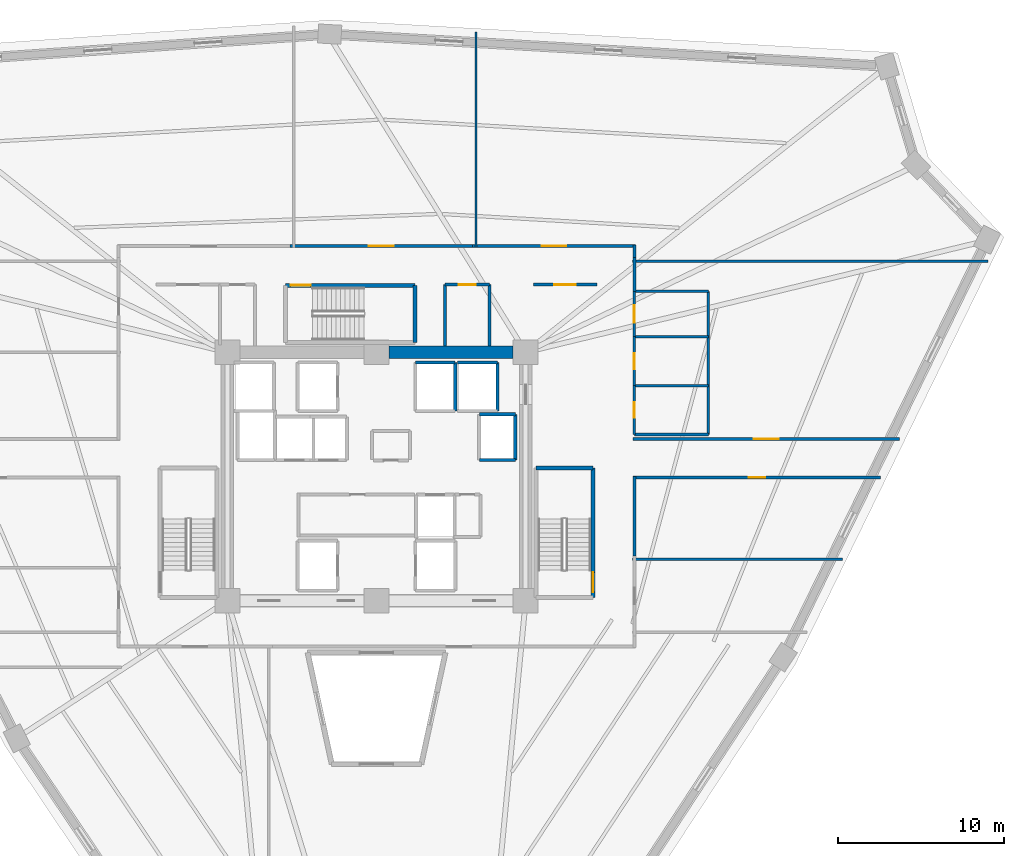
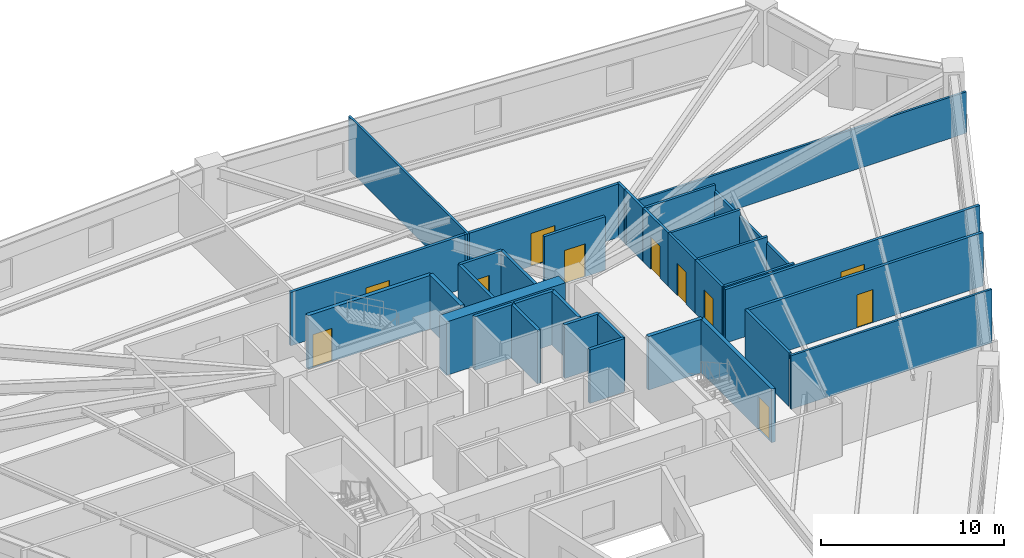
# One storey, part 6 of 8: 34 walls, 11 doors, 11 openings.
"""IFC4 building model written with IfcOpenShell, lengths in metres."""

from ifc_helpers import new_model, si_unit, direction, frame, frame_2d, origin, place, context, subcontext, project, spatial, rectangle, extrude, source, transform, mapped, material, layer, layer_set, type_object, element, fill, save


model = new_model("IFC4")

# Units and contexts
model_context = context("Model", 3, precision=1e-05, world=origin(), true_north=direction((0.0, 1.0)))
body_context = subcontext(model_context, "Body", "Model", "MODEL_VIEW")
ifc_project = project(units=[si_unit("LENGTHUNIT", "METRE"), si_unit("AREAUNIT", "SQUARE_METRE"), si_unit("VOLUMEUNIT", "CUBIC_METRE"), si_unit("PLANEANGLEUNIT", "RADIAN"), si_unit("MASSUNIT", "GRAM", prefix="KILO")], contexts=[model_context])

# Site, building, storey
site_placement = place(None, origin())
site = spatial("IfcSite", under=ifc_project, at=site_placement, CompositionType="ELEMENT")
building_placement = place(site_placement, origin())
building = spatial("IfcBuilding", under=site, at=building_placement, Name="Liaohun Quay Tower", CompositionType="ELEMENT")
storey_placement = place(building_placement, frame((0.0, 0.0, 109.5)))
storey = spatial("IfcBuildingStorey", under=building, at=storey_placement, Name="L28", CompositionType="ELEMENT", Elevation=109.5)

# Wall
ifc_material_1 = material(Name="Concrete C60", Category="concrete")
ifc_layer_1 = layer(ifc_material_1, 0.75, Name="Concrete C60", Category="concrete")
ifc_layer_set_1 = layer_set([ifc_layer_1], Name="Concrete C60")
wall_type_1 = type_object("IfcWallType", Name="WAL-COR-Z2", PredefinedType="SHEAR", material=ifc_layer_set_1)
wall_1_placement = place(storey_placement, frame((60.75, 61.5, 0.0), z_axis=(0.0, 0.0, 1.0), x_axis=(1.0, 0.0, 0.0)))
element("IfcWall", 1, at=wall_1_placement, inside=storey, type_object=wall_type_1, Name="L28 Central Core Shear Wall N-E", PredefinedType="SHEAR", context=body_context, shape_type="SweptSolid", body=[
    extrude(rectangle(XDim=7.5, YDim=0.75, at=frame_2d((3.75, 0.0))), origin(), (0.0, 0.0, 1.0), 3.570068359375),
])

# Wall, opening, door
ifc_material_2 = material(Name="Autoclaved aerated concrete blockwork", Category="masonry")
ifc_layer_2 = layer(ifc_material_2, 0.179931640625, Name="Autoclaved aerated concrete blockwork", Category="masonry")
ifc_layer_set_2 = layer_set([ifc_layer_2], Name="Autoclaved aerated concrete blockwork")
wall_type_2 = type_object("IfcWallType", Name="WAL-PRT-COR", PredefinedType="PARTITIONING", material=ifc_layer_set_2)
wall_2_placement = place(storey_placement, frame((64.139892578125, 65.580078125, 0.0), z_axis=(0.0, 0.0, 1.0), x_axis=(1.0, 0.0, 0.0)))
wall_2 = element("IfcWall", 2, at=wall_2_placement, inside=storey, type_object=wall_type_2, Name="L28 Interior Partition Wall 008", PredefinedType="PARTITIONING", context=body_context, shape_type="SweptSolid", body=[
    extrude(rectangle(XDim=2.670166015625, YDim=0.179931640625, at=frame_2d((1.3349609375, 0.0))), origin(), (0.0, 0.0, 1.0), 3.570068359375),
])
shared_shape_1 = source(origin(), body_context, "Body", "SweptSolid", [
    extrude(rectangle(XDim=1.0, YDim=2.199951171875, at=frame_2d((0.5, 1.10009765625))), frame((0.0, 0.099853515625, 0.0), z_axis=(0.0, -1.0, 0.0), x_axis=(1.0, 0.0, 0.0)), (0.0, 0.0, 1.0), 0.199951171875),
])
opening_1_placement = place(wall_2_placement, frame((0.8349609375, 0.0, 0.0)))
opening_1 = element("IfcOpeningElement", 3, at=opening_1_placement, cuts=wall_2, Name="Opening OD1", PredefinedType="OPENING", context=body_context, shape_type="MappedRepresentation", body=[
    mapped(shared_shape_1, transform((0.0, 0.0, 0.0), x_axis=(1.0, 0.0, 0.0), y_axis=(0.0, 1.0, 0.0), z_axis=(0.0, 0.0, 1.0), scale=1.0)),
])
ifc_material_3 = material(Name="Solid-core oak veneer timber leaf in steel frame", Category="steel")
door_type_1 = type_object("IfcDoorType", Name="DOR-OFF-1000", OperationType="NOTDEFINED", PredefinedType="DOOR", material=ifc_material_3)
shared_shape_2 = source(origin(), body_context, "Body", "SweptSolid", [
    extrude(rectangle(XDim=1.0, YDim=2.199951171875, at=frame_2d((0.5, 1.10009765625))), frame((0.0, 0.02490234375, 0.0), z_axis=(0.0, -1.0, 0.0), x_axis=(1.0, 0.0, 0.0)), (0.0, 0.0, 1.0), 0.050048828125),
])
door_1_placement = place(opening_1_placement, origin())
door_1 = element("IfcDoor", 4, at=door_1_placement, inside=storey, type_object=door_type_1, Name="L28 North-East Server Closet Door", OperationType="SINGLE_SWING_LEFT", OverallHeight=2.199951171875, OverallWidth=1.0, PredefinedType="DOOR", context=body_context, shape_type="MappedRepresentation", body=[
    mapped(shared_shape_2, transform((0.0, 0.0, 0.0), x_axis=(1.0, 0.0, 0.0), y_axis=(0.0, 1.0, 0.0), z_axis=(0.0, 0.0, 1.0), scale=1.0)),
])
fill(opening_1, door_1)

wall_3_placement = place(storey_placement, frame((69.4599609375, 65.580078125, 0.0), z_axis=(0.0, 0.0, 1.0), x_axis=(1.0, 0.0, 0.0)))
wall_3 = element("IfcWall", 5, at=wall_3_placement, inside=storey, type_object=wall_type_2, Name="L28 Interior Partition Wall 010", PredefinedType="PARTITIONING", context=body_context, shape_type="SweptSolid", body=[
    extrude(rectangle(XDim=3.840087890625, YDim=0.179931640625, at=frame_2d((1.919921875, 0.0))), origin(), (0.0, 0.0, 1.0), 3.570068359375),
])
shared_shape_3 = source(origin(), body_context, "Body", "SweptSolid", [
    extrude(rectangle(XDim=1.300048828125, YDim=2.199951171875, at=frame_2d((0.64990234375, 1.10009765625))), frame((0.0, 0.099853515625, 0.0), z_axis=(0.0, -1.0, 0.0), x_axis=(1.0, 0.0, 0.0)), (0.0, 0.0, 1.0), 0.199951171875),
])
opening_2_placement = place(wall_3_placement, frame((1.27001953125, 0.0, 0.0)))
opening_2 = element("IfcOpeningElement", 6, at=opening_2_placement, cuts=wall_3, Name="Opening FD1", PredefinedType="OPENING", context=body_context, shape_type="MappedRepresentation", body=[
    mapped(shared_shape_3, transform((0.0, 0.0, 0.0), x_axis=(1.0, 0.0, 0.0), y_axis=(0.0, 1.0, 0.0), z_axis=(0.0, 0.0, 1.0), scale=1.0)),
])
ifc_material_4 = material(Name="Galvanised steel smokeproof fire door", Category="steel")
door_type_2 = type_object("IfcDoorType", Name="DOR-FFL-1300", OperationType="NOTDEFINED", PredefinedType="DOOR", material=ifc_material_4)
shared_shape_4 = source(origin(), body_context, "Body", "SweptSolid", [
    extrude(rectangle(XDim=1.300048828125, YDim=2.199951171875, at=frame_2d((0.64990234375, 1.10009765625))), frame((0.0, 0.02490234375, 0.0), z_axis=(0.0, -1.0, 0.0), x_axis=(1.0, 0.0, 0.0)), (0.0, 0.0, 1.0), 0.050048828125),
])
door_2_placement = place(opening_2_placement, origin())
door_2 = element("IfcDoor", 7, at=door_2_placement, inside=storey, type_object=door_type_2, Name="L28 East Core Vestibule Door", OperationType="SINGLE_SWING_LEFT", OverallHeight=2.199951171875, OverallWidth=1.300048828125, PredefinedType="DOOR", context=body_context, shape_type="MappedRepresentation", body=[
    mapped(shared_shape_4, transform((0.0, 0.0, 0.0), x_axis=(1.0, 0.0, 0.0), y_axis=(0.0, 1.0, 0.0), z_axis=(0.0, 0.0, 1.0), scale=1.0)),
])
fill(opening_2, door_2)

wall_4_placement = place(storey_placement, frame((75.489990234375, 56.260009765625, 0.0), z_axis=(0.0, 0.0, 1.0), x_axis=(1.0, 0.0, 0.0)))
wall_4 = element("IfcWall", 8, at=wall_4_placement, inside=storey, type_object=wall_type_2, Name="L28 Interior Partition Wall 011", PredefinedType="PARTITIONING", context=body_context, shape_type="SweptSolid", body=[
    extrude(rectangle(XDim=16.06689453125, YDim=0.179931640625, at=frame_2d((8.033447265625, 0.0))), origin(), (0.0, 0.0, 1.0), 3.570068359375),
])
shared_shape_5 = source(origin(), body_context, "Body", "SweptSolid", [
    extrude(rectangle(XDim=1.5, YDim=2.199951171875, at=frame_2d((0.75, 1.10009765625))), frame((0.0, 0.099853515625, 0.0), z_axis=(0.0, -1.0, 0.0), x_axis=(1.0, 0.0, 0.0)), (0.0, 0.0, 1.0), 0.199951171875),
])
opening_3_placement = place(wall_4_placement, frame((7.283935546875, 0.0, 0.0)))
opening_3 = element("IfcOpeningElement", 9, at=opening_3_placement, cuts=wall_4, Name="Opening OD2", PredefinedType="OPENING", context=body_context, shape_type="MappedRepresentation", body=[
    mapped(shared_shape_5, transform((0.0, 0.0, 0.0), x_axis=(1.0, 0.0, 0.0), y_axis=(0.0, 1.0, 0.0), z_axis=(0.0, 0.0, 1.0), scale=1.0)),
])
ifc_material_5 = material(Name="Acoustic oak veneer double door")
door_type_3 = type_object("IfcDoorType", Name="DOR-OFF-1500", OperationType="DOUBLE_DOOR_SINGLE_SWING", PredefinedType="DOOR", material=ifc_material_5)
shared_shape_6 = source(origin(), body_context, "Body", "SweptSolid", [
    extrude(rectangle(XDim=1.5, YDim=2.199951171875, at=frame_2d((0.75, 1.10009765625))), frame((0.0, 0.02490234375, 0.0), z_axis=(0.0, -1.0, 0.0), x_axis=(1.0, 0.0, 0.0)), (0.0, 0.0, 1.0), 0.050048828125),
])
door_3_placement = place(opening_3_placement, origin())
door_3 = element("IfcDoor", 10, at=door_3_placement, inside=storey, type_object=door_type_3, Name="L28 Architectural Design Studio 01 Door", OperationType="DOUBLE_DOOR_SINGLE_SWING", OverallHeight=2.199951171875, OverallWidth=1.5, PredefinedType="DOOR", context=body_context, shape_type="MappedRepresentation", body=[
    mapped(shared_shape_6, transform((0.0, 0.0, 0.0), x_axis=(1.0, 0.0, 0.0), y_axis=(0.0, 1.0, 0.0), z_axis=(0.0, 0.0, 1.0), scale=1.0)),
])
fill(opening_3, door_3)

wall_5_placement = place(storey_placement, frame((65.784912109375, 67.909912109375, 0.0), z_axis=(0.0, 0.0, 1.0), x_axis=(1.0, 0.0, 0.0)))
wall_5 = element("IfcWall", 11, at=wall_5_placement, inside=storey, type_object=wall_type_2, Name="L28 Interior Partition Wall 012", PredefinedType="PARTITIONING", context=body_context, shape_type="SweptSolid", body=[
    extrude(rectangle(XDim=9.844970703125, YDim=0.179931640625, at=frame_2d((4.92236328125, 0.0))), origin(), (0.0, 0.0, 1.0), 3.570068359375),
])
opening_4_placement = place(wall_5_placement, frame((4.172119140625, 0.0, 0.0)))
opening_4 = element("IfcOpeningElement", 12, at=opening_4_placement, cuts=wall_5, Name="Opening OD2", PredefinedType="OPENING", context=body_context, shape_type="MappedRepresentation", body=[
    mapped(shared_shape_5, transform((0.0, 0.0, 0.0), x_axis=(1.0, 0.0, 0.0), y_axis=(0.0, 1.0, 0.0), z_axis=(0.0, 0.0, 1.0), scale=1.0)),
])
door_4_placement = place(opening_4_placement, origin())
door_4 = element("IfcDoor", 13, at=door_4_placement, inside=storey, type_object=door_type_3, Name="L28 Corporate Exhibition Gallery 02 Door", OperationType="DOUBLE_DOOR_SINGLE_SWING", OverallHeight=2.199951171875, OverallWidth=1.5, PredefinedType="DOOR", context=body_context, shape_type="MappedRepresentation", body=[
    mapped(shared_shape_6, transform((0.0, 0.0, 0.0), x_axis=(1.0, 0.0, 0.0), y_axis=(0.0, 1.0, 0.0), z_axis=(0.0, 0.0, 1.0), scale=1.0)),
])
fill(opening_4, door_4)

wall_6_placement = place(storey_placement, frame((54.784912109375, 67.909912109375, 0.0), z_axis=(0.0, 0.0, 1.0), x_axis=(1.0, 0.0, 0.0)))
wall_6 = element("IfcWall", 14, at=wall_6_placement, inside=storey, type_object=wall_type_2, Name="L28 Interior Partition Wall 013", PredefinedType="PARTITIONING", context=body_context, shape_type="SweptSolid", body=[
    extrude(rectangle(XDim=11.0, YDim=0.179931640625, at=frame_2d((5.5, 0.0))), origin(), (0.0, 0.0, 1.0), 3.570068359375),
])
opening_5_placement = place(wall_6_placement, frame((4.75, 0.0, 0.0)))
opening_5 = element("IfcOpeningElement", 15, at=opening_5_placement, cuts=wall_6, Name="Opening OD2", PredefinedType="OPENING", context=body_context, shape_type="MappedRepresentation", body=[
    mapped(shared_shape_5, transform((0.0, 0.0, 0.0), x_axis=(1.0, 0.0, 0.0), y_axis=(0.0, 1.0, 0.0), z_axis=(0.0, 0.0, 1.0), scale=1.0)),
])
door_5_placement = place(opening_5_placement, origin())
door_5 = element("IfcDoor", 16, at=door_5_placement, inside=storey, type_object=door_type_3, Name="L28 Architectural Design Studio 03 Door", OperationType="DOUBLE_DOOR_SINGLE_SWING", OverallHeight=2.199951171875, OverallWidth=1.5, PredefinedType="DOOR", context=body_context, shape_type="MappedRepresentation", body=[
    mapped(shared_shape_6, transform((0.0, 0.0, 0.0), x_axis=(1.0, 0.0, 0.0), y_axis=(0.0, 1.0, 0.0), z_axis=(0.0, 0.0, 1.0), scale=1.0)),
])
fill(opening_5, door_5)

wall_7_placement = place(storey_placement, frame((90.424072265625, 53.93994140625, 0.0), z_axis=(0.0, 0.0, 1.0), x_axis=(-1.0, 0.0, 0.0)))
wall_7 = element("IfcWall", 17, at=wall_7_placement, inside=storey, type_object=wall_type_2, Name="L28 Interior Partition Wall 022", PredefinedType="PARTITIONING", context=body_context, shape_type="SweptSolid", body=[
    extrude(rectangle(XDim=14.93408203125, YDim=0.179931640625, at=frame_2d((7.467041015625, 0.0))), origin(), (0.0, 0.0, 1.0), 3.570068359375),
])
opening_6_placement = place(wall_7_placement, frame((6.967041015625, 0.0, 0.0)))
opening_6 = element("IfcOpeningElement", 18, at=opening_6_placement, cuts=wall_7, Name="Opening OD1", PredefinedType="OPENING", context=body_context, shape_type="MappedRepresentation", body=[
    mapped(shared_shape_1, transform((0.0, 0.0, 0.0), x_axis=(1.0, 0.0, 0.0), y_axis=(0.0, 1.0, 0.0), z_axis=(0.0, 0.0, 1.0), scale=1.0)),
])
door_6_placement = place(opening_6_placement, origin())
door_6 = element("IfcDoor", 19, at=door_6_placement, inside=storey, type_object=door_type_1, Name="L28 Client Reception Office 12 Door", OperationType="SINGLE_SWING_LEFT", OverallHeight=2.199951171875, OverallWidth=1.0, PredefinedType="DOOR", context=body_context, shape_type="MappedRepresentation", body=[
    mapped(shared_shape_2, transform((0.0, 0.0, 0.0), x_axis=(1.0, 0.0, 0.0), y_axis=(0.0, 1.0, 0.0), z_axis=(0.0, 0.0, 1.0), scale=1.0)),
])
fill(opening_6, door_6)

# Walls
for number, where, z_axis, x_axis, name in (
    (20, (64.139892578125, 61.875, 0.0), (0.0, 0.0, 1.0), (0.0, 1.0, 0.0), "L28 Interior Partition Wall 035"),
    (21, (66.81005859375, 61.875, 0.0), (0.0, 0.0, 1.0), (0.0, 1.0, 0.0), "L28 Interior Partition Wall 036"),
):
    element("IfcWall", number, at=place(storey_placement, frame(where, z_axis=z_axis, x_axis=x_axis)), inside=storey, type_object=wall_type_2, Name=name, PredefinedType="PARTITIONING", context=body_context, shape_type="SweptSolid", body=[
        extrude(rectangle(XDim=3.705078125, YDim=0.179931640625, at=frame_2d((1.8525390625, 0.0))), origin(), (0.0, 0.0, 1.0), 3.570068359375),
    ])
wall_8_placement = place(storey_placement, frame((75.56005859375, 67.215087890625, 0.0), z_axis=(0.0, 0.0, 1.0), x_axis=(0.0, -1.0, 0.0)))
element("IfcWall", 22, at=wall_8_placement, inside=storey, type_object=wall_type_2, Name="L28 Interior Partition Wall 037", PredefinedType="PARTITIONING", context=body_context, shape_type="SweptSolid", body=[
    extrude(rectangle(XDim=2.03515625, YDim=0.179931640625, at=frame_2d((1.017578125, 0.0))), origin(), (0.0, 0.0, 1.0), 3.570068359375),
])
wall_9_placement = place(storey_placement, frame((75.56005859375, 67.97998046875, 0.0), z_axis=(0.0, 0.0, 1.0), x_axis=(0.0, -1.0, 0.0)))
element("IfcWall", 23, at=wall_9_placement, inside=storey, type_object=wall_type_2, Name="L28 Interior Partition Wall 038", PredefinedType="PARTITIONING", context=body_context, shape_type="SweptSolid", body=[
    extrude(rectangle(XDim=0.764892578125, YDim=0.179931640625, at=frame_2d((0.38232421875, 0.0))), origin(), (0.0, 0.0, 1.0), 3.570068359375),
])
wall_10_placement = place(storey_placement, frame((75.56005859375, 54.010009765625, 0.0), z_axis=(0.0, 0.0, 1.0), x_axis=(0.0, -1.0, 0.0)))
element("IfcWall", 24, at=wall_10_placement, inside=storey, type_object=wall_type_2, Name="L28 Interior Partition Wall 044", PredefinedType="PARTITIONING", context=body_context, shape_type="SweptSolid", body=[
    extrude(rectangle(XDim=4.794921875, YDim=0.179931640625, at=frame_2d((2.3974609375, 0.0))), origin(), (0.0, 0.0, 1.0), 3.570068359375),
])
ifc_material_6 = material(Name="Gypsum board on twin steel studs", Category="steel")
ifc_layer_3 = layer(ifc_material_6, 0.139892578125, Name="Gypsum board on twin steel studs", Category="steel")
ifc_layer_set_3 = layer_set([ifc_layer_3], Name="Gypsum board on twin steel studs")
wall_type_3 = type_object("IfcWallType", Name="WAL-PRT-OFF", PredefinedType="PARTITIONING", material=ifc_layer_set_3)
wall_11_placement = place(storey_placement, frame((75.4599609375, 49.0, 0.0), z_axis=(0.0, 0.0, 1.0), x_axis=(1.0, 0.0, 0.0)))
element("IfcWall", 25, at=wall_11_placement, inside=storey, type_object=wall_type_3, Name="L28 Interior Partition Wall 051", PredefinedType="PARTITIONING", context=body_context, shape_type="SweptSolid", body=[
    extrude(rectangle(XDim=12.657958984375, YDim=0.139892578125, at=frame_2d((6.3291015625, 0.0))), origin(), (0.0, 0.0, 1.0), 3.570068359375),
])
wall_12_placement = place(storey_placement, frame((75.4599609375, 67.0, 0.0), z_axis=(0.0, 0.0, 1.0), x_axis=(1.0, 0.0, 0.0)))
element("IfcWall", 26, at=wall_12_placement, inside=storey, type_object=wall_type_3, Name="L28 Interior Partition Wall 052", PredefinedType="PARTITIONING", context=body_context, shape_type="SweptSolid", body=[
    extrude(rectangle(XDim=21.453125, YDim=0.139892578125, at=frame_2d((10.7265625, 0.0))), origin(), (0.0, 0.0, 1.0), 2.7548828125),
])
wall_13_placement = place(storey_placement, frame((66.0, 67.81005859375, 0.0), z_axis=(0.0, 0.0, 1.0), x_axis=(0.0, 1.0, 0.0)))
element("IfcWall", 27, at=wall_13_placement, inside=storey, type_object=wall_type_3, Name="L28 Interior Partition Wall 054", PredefinedType="PARTITIONING", context=body_context, shape_type="SweptSolid", body=[
    extrude(rectangle(XDim=13.008056640625, YDim=0.139892578125, at=frame_2d((6.50390625, 0.0))), origin(), (0.0, 0.0, 1.0), 3.570068359375),
])

# Wall, opening, door
ifc_material_7 = material(Name="Moisture-resistant masonry blockwork", Category="masonry")
ifc_layer_4 = layer(ifc_material_7, 0.159912109375, Name="Moisture-resistant masonry blockwork", Category="masonry")
ifc_layer_set_4 = layer_set([ifc_layer_4], Name="Moisture-resistant masonry blockwork")
wall_type_4 = type_object("IfcWallType", Name="WAL-PRT-WET", PredefinedType="PARTITIONING", material=ifc_layer_set_4)
wall_14_placement = place(storey_placement, frame((75.56005859375, 56.5400390625, 0.0), z_axis=(0.0, 0.0, 1.0), x_axis=(0.0, 1.0, 0.0)))
wall_14 = element("IfcWall", 28, at=wall_14_placement, inside=storey, type_object=wall_type_4, Name="L28 Interior Partition Wall 004", PredefinedType="PARTITIONING", context=body_context, shape_type="SweptSolid", body=[
    extrude(rectangle(XDim=2.93994140625, YDim=0.159912109375, at=frame_2d((1.469970703125, 0.0))), origin(), (0.0, 0.0, 1.0), 3.570068359375),
])
shared_shape_7 = source(origin(), body_context, "Body", "SweptSolid", [
    extrude(rectangle(XDim=0.949951171875, YDim=2.14990234375, at=frame_2d((0.47509765625, 1.074951171875))), frame((0.0, 0.08984375, 0.0), z_axis=(0.0, -1.0, 0.0), x_axis=(1.0, 0.0, 0.0)), (0.0, 0.0, 1.0), 0.179931640625),
])
opening_7_placement = place(wall_14_placement, frame((0.9951171875, 0.0, 0.0)))
opening_7 = element("IfcOpeningElement", 29, at=opening_7_placement, cuts=wall_14, Name="Opening WD1", PredefinedType="OPENING", context=body_context, shape_type="MappedRepresentation", body=[
    mapped(shared_shape_7, transform((0.0, 0.0, 0.0), x_axis=(1.0, 0.0, 0.0), y_axis=(0.0, 1.0, 0.0), z_axis=(0.0, 0.0, 1.0), scale=1.0)),
])
ifc_material_8 = material(Name="Moisture-resistant laminate timber leaf", Category="wood")
door_type_4 = type_object("IfcDoorType", Name="DOR-WC-950", OperationType="NOTDEFINED", PredefinedType="DOOR", material=ifc_material_8)
shared_shape_8 = source(origin(), body_context, "Body", "SweptSolid", [
    extrude(rectangle(XDim=0.949951171875, YDim=2.14990234375, at=frame_2d((0.47509765625, 1.074951171875))), frame((0.0, 0.02490234375, 0.0), z_axis=(0.0, -1.0, 0.0), x_axis=(1.0, 0.0, 0.0)), (0.0, 0.0, 1.0), 0.050048828125),
])
door_7_placement = place(opening_7_placement, origin())
door_7 = element("IfcDoor", 30, at=door_7_placement, inside=storey, type_object=door_type_4, Name="L28 Male Restroom WC Door", OperationType="SINGLE_SWING_LEFT", OverallHeight=2.14990234375, OverallWidth=0.949951171875, PredefinedType="DOOR", context=body_context, shape_type="MappedRepresentation", body=[
    mapped(shared_shape_8, transform((0.0, 0.0, 0.0), x_axis=(1.0, 0.0, 0.0), y_axis=(0.0, 1.0, 0.0), z_axis=(0.0, 0.0, 1.0), scale=1.0)),
])
fill(opening_7, door_7)

wall_15_placement = place(storey_placement, frame((75.56005859375, 59.47998046875, 0.0), z_axis=(0.0, 0.0, 1.0), x_axis=(0.0, 1.0, 0.0)))
wall_15 = element("IfcWall", 31, at=wall_15_placement, inside=storey, type_object=wall_type_4, Name="L28 Interior Partition Wall 005", PredefinedType="PARTITIONING", context=body_context, shape_type="SweptSolid", body=[
    extrude(rectangle(XDim=2.9599609375, YDim=0.159912109375, at=frame_2d((1.47998046875, 0.0))), origin(), (0.0, 0.0, 1.0), 3.570068359375),
])
opening_8_placement = place(wall_15_placement, frame((1.0048828125, 0.0, 0.0)))
opening_8 = element("IfcOpeningElement", 32, at=opening_8_placement, cuts=wall_15, Name="Opening WD1", PredefinedType="OPENING", context=body_context, shape_type="MappedRepresentation", body=[
    mapped(shared_shape_7, transform((0.0, 0.0, 0.0), x_axis=(1.0, 0.0, 0.0), y_axis=(0.0, 1.0, 0.0), z_axis=(0.0, 0.0, 1.0), scale=1.0)),
])
door_8_placement = place(opening_8_placement, origin())
door_8 = element("IfcDoor", 33, at=door_8_placement, inside=storey, type_object=door_type_4, Name="L28 Female Restroom WC Door", OperationType="SINGLE_SWING_RIGHT", OverallHeight=2.14990234375, OverallWidth=0.949951171875, PredefinedType="DOOR", context=body_context, shape_type="MappedRepresentation", body=[
    mapped(shared_shape_8, transform((0.0, 0.0, 0.0), x_axis=(1.0, 0.0, 0.0), y_axis=(0.0, 1.0, 0.0), z_axis=(0.0, 0.0, 1.0), scale=1.0)),
])
fill(opening_8, door_8)

wall_16_placement = place(storey_placement, frame((75.56005859375, 62.43994140625, 0.0), z_axis=(0.0, 0.0, 1.0), x_axis=(0.0, 1.0, 0.0)))
wall_16 = element("IfcWall", 34, at=wall_16_placement, inside=storey, type_object=wall_type_4, Name="L28 Interior Partition Wall 006", PredefinedType="PARTITIONING", context=body_context, shape_type="SweptSolid", body=[
    extrude(rectangle(XDim=2.739990234375, YDim=0.159912109375, at=frame_2d((1.3701171875, 0.0))), origin(), (0.0, 0.0, 1.0), 3.570068359375),
])
shared_shape_9 = source(origin(), body_context, "Body", "SweptSolid", [
    extrude(rectangle(XDim=1.050048828125, YDim=2.14990234375, at=frame_2d((0.52490234375, 1.074951171875))), frame((0.0, 0.08984375, 0.0), z_axis=(0.0, -1.0, 0.0), x_axis=(1.0, 0.0, 0.0)), (0.0, 0.0, 1.0), 0.179931640625),
])
opening_9_placement = place(wall_16_placement, frame((0.844970703125, 0.0, 0.0)))
opening_9 = element("IfcOpeningElement", 35, at=opening_9_placement, cuts=wall_16, Name="Opening WD2", PredefinedType="OPENING", context=body_context, shape_type="MappedRepresentation", body=[
    mapped(shared_shape_9, transform((0.0, 0.0, 0.0), x_axis=(1.0, 0.0, 0.0), y_axis=(0.0, 1.0, 0.0), z_axis=(0.0, 0.0, 1.0), scale=1.0)),
])
ifc_material_9 = material(Name="Accessible outward-swinging laminate door")
door_type_5 = type_object("IfcDoorType", Name="DOR-AWC-1050", OperationType="NOTDEFINED", PredefinedType="DOOR", material=ifc_material_9)
shared_shape_10 = source(origin(), body_context, "Body", "SweptSolid", [
    extrude(rectangle(XDim=1.050048828125, YDim=2.14990234375, at=frame_2d((0.52490234375, 1.074951171875))), frame((0.0, 0.02490234375, 0.0), z_axis=(0.0, -1.0, 0.0), x_axis=(1.0, 0.0, 0.0)), (0.0, 0.0, 1.0), 0.050048828125),
])
door_9_placement = place(opening_9_placement, origin())
door_9 = element("IfcDoor", 36, at=door_9_placement, inside=storey, type_object=door_type_5, Name="L28 Accessible WC Door", OperationType="SINGLE_SWING_LEFT", OverallHeight=2.14990234375, OverallWidth=1.050048828125, PredefinedType="DOOR", context=body_context, shape_type="MappedRepresentation", body=[
    mapped(shared_shape_10, transform((0.0, 0.0, 0.0), x_axis=(1.0, 0.0, 0.0), y_axis=(0.0, 1.0, 0.0), z_axis=(0.0, 0.0, 1.0), scale=1.0)),
])
fill(opening_9, door_9)

# Walls
wall_17_placement = place(storey_placement, frame((80.02001953125, 56.5400390625, 0.0), z_axis=(0.0, 0.0, 1.0), x_axis=(0.0, 1.0, 0.0)))
element("IfcWall", 37, at=wall_17_placement, inside=storey, type_object=wall_type_4, Name="L28 Interior Partition Wall 028", PredefinedType="PARTITIONING", context=body_context, shape_type="SweptSolid", body=[
    extrude(rectangle(XDim=8.639892578125, YDim=0.159912109375, at=frame_2d((4.31982421875, 0.0))), origin(), (0.0, 0.0, 1.0), 3.155029296875),
])
for number, where, z_axis, x_axis, name in (
    (38, (75.56005859375, 56.5400390625, 0.0), (0.0, 0.0, 1.0), (1.0, 0.0, 0.0), "L28 Interior Partition Wall 029"),
    (39, (75.56005859375, 59.47998046875, 0.0), (0.0, 0.0, 1.0), (1.0, 0.0, 0.0), "L28 Interior Partition Wall 030"),
    (40, (75.56005859375, 62.43994140625, 0.0), (0.0, 0.0, 1.0), (1.0, 0.0, 0.0), "L28 Interior Partition Wall 031"),
    (41, (75.56005859375, 65.179931640625, 0.0), (0.0, 0.0, 1.0), (1.0, 0.0, 0.0), "L28 Interior Partition Wall 032"),
):
    element("IfcWall", number, at=place(storey_placement, frame(where, z_axis=z_axis, x_axis=x_axis)), inside=storey, type_object=wall_type_4, Name=name, PredefinedType="PARTITIONING", context=body_context, shape_type="SweptSolid", body=[
        extrude(rectangle(XDim=4.4599609375, YDim=0.159912109375, at=frame_2d((2.22998046875, 0.0))), origin(), (0.0, 0.0, 1.0), 3.570068359375),
    ])

# Wall, opening, door
ifc_material_10 = material(Name="Concrete C50", Category="concrete")
ifc_layer_5 = layer(ifc_material_10, 0.239990234375, Name="Concrete C50", Category="concrete")
ifc_layer_set_5 = layer_set([ifc_layer_5], Name="Concrete C50")
wall_type_5 = type_object("IfcWallType", Name="WAL-SHF-200", PredefinedType="SOLIDWALL", material=ifc_layer_set_5)
wall_18_placement = place(storey_placement, frame((73.06005859375, 46.699951171875, 0.0), z_axis=(0.0, 0.0, 1.0), x_axis=(0.0, 1.0, 0.0)))
wall_18 = element("IfcWall", 42, at=wall_18_placement, inside=storey, type_object=wall_type_5, Name="L28 Stairwell ST-2 Structural Core Wall E", PredefinedType="SOLIDWALL", context=body_context, shape_type="SweptSolid", body=[
    extrude(rectangle(XDim=7.820068359375, YDim=0.239990234375, at=frame_2d((3.91015625, 0.0))), origin(), (0.0, 0.0, 1.0), 3.570068359375),
])
shared_shape_11 = source(origin(), body_context, "Body", "SweptSolid", [
    extrude(rectangle(XDim=1.199951171875, YDim=2.199951171875, at=frame_2d((0.60009765625, 1.10009765625))), frame((0.0, 0.1298828125, 0.0), z_axis=(0.0, -1.0, 0.0), x_axis=(1.0, 0.0, 0.0)), (0.0, 0.0, 1.0), 0.260009765625),
])
opening_10_placement = place(wall_18_placement, frame((0.320068359375, 0.0, 0.0)))
opening_10 = element("IfcOpeningElement", 43, at=opening_10_placement, cuts=wall_18, Name="Opening SD1", PredefinedType="OPENING", context=body_context, shape_type="MappedRepresentation", body=[
    mapped(shared_shape_11, transform((0.0, 0.0, 0.0), x_axis=(1.0, 0.0, 0.0), y_axis=(0.0, 1.0, 0.0), z_axis=(0.0, 0.0, 1.0), scale=1.0)),
])
ifc_material_11 = material(Name="Galvanised steel fire door", Category="steel")
door_type_6 = type_object("IfcDoorType", Name="DOR-STR-1200", OperationType="NOTDEFINED", PredefinedType="DOOR", material=ifc_material_11)
shared_shape_12 = source(origin(), body_context, "Body", "SweptSolid", [
    extrude(rectangle(XDim=1.199951171875, YDim=2.199951171875, at=frame_2d((0.60009765625, 1.10009765625))), frame((0.0, 0.02490234375, 0.0), z_axis=(0.0, -1.0, 0.0), x_axis=(1.0, 0.0, 0.0)), (0.0, 0.0, 1.0), 0.050048828125),
])
door_10_placement = place(opening_10_placement, origin())
door_10 = element("IfcDoor", 44, at=door_10_placement, inside=storey, type_object=door_type_6, Name="L28 Protected Stair ST-2 Fire Door", OperationType="SINGLE_SWING_RIGHT", OverallHeight=2.199951171875, OverallWidth=1.199951171875, PredefinedType="DOOR", context=body_context, shape_type="MappedRepresentation", body=[
    mapped(shared_shape_12, transform((0.0, 0.0, 0.0), x_axis=(1.0, 0.0, 0.0), y_axis=(0.0, 1.0, 0.0), z_axis=(0.0, 0.0, 1.0), scale=1.0)),
])
fill(opening_10, door_10)

# Walls
for number, where, z_axis, x_axis, name in (
    (45, (73.06005859375, 54.52001953125, 0.0), (0.0, 0.0, 1.0), (-1.0, 0.0, 0.0), "L28 Stairwell ST-2 Structural Core Wall N"),
    (46, (62.320068359375, 62.10009765625, 0.0), (0.0, 0.0, 1.0), (0.0, 1.0, 0.0), "L28 Stairwell ST-3 Structural Core Wall E"),
):
    element("IfcWall", number, at=place(storey_placement, frame(where, z_axis=z_axis, x_axis=x_axis)), inside=storey, type_object=wall_type_5, Name=name, PredefinedType="SOLIDWALL", context=body_context, shape_type="SweptSolid", body=[
        extrude(rectangle(XDim=3.43994140625, YDim=0.239990234375, at=frame_2d((1.719970703125, 0.0))), origin(), (0.0, 0.0, 1.0), 3.570068359375),
    ])

# Wall, opening, door
wall_19_placement = place(storey_placement, frame((62.320068359375, 65.5400390625, 0.0), z_axis=(0.0, 0.0, 1.0), x_axis=(-1.0, 0.0, 0.0)))
wall_19 = element("IfcWall", 47, at=wall_19_placement, inside=storey, type_object=wall_type_5, Name="L28 Stairwell ST-3 Structural Core Wall N", PredefinedType="SOLIDWALL", context=body_context, shape_type="SweptSolid", body=[
    extrude(rectangle(XDim=7.820068359375, YDim=0.239990234375, at=frame_2d((3.91015625, 0.0))), origin(), (0.0, 0.0, 1.0), 3.570068359375),
])
opening_11_placement = place(wall_19_placement, frame((6.300048828125, 0.0, 0.0)))
opening_11 = element("IfcOpeningElement", 48, at=opening_11_placement, cuts=wall_19, Name="Opening SD1", PredefinedType="OPENING", context=body_context, shape_type="MappedRepresentation", body=[
    mapped(shared_shape_11, transform((0.0, 0.0, 0.0), x_axis=(1.0, 0.0, 0.0), y_axis=(0.0, 1.0, 0.0), z_axis=(0.0, 0.0, 1.0), scale=1.0)),
])
door_11_placement = place(opening_11_placement, origin())
door_11 = element("IfcDoor", 49, at=door_11_placement, inside=storey, type_object=door_type_6, Name="L28 Protected Stair ST-3 Fire Door", OperationType="SINGLE_SWING_RIGHT", OverallHeight=2.199951171875, OverallWidth=1.199951171875, PredefinedType="DOOR", context=body_context, shape_type="MappedRepresentation", body=[
    mapped(shared_shape_12, transform((0.0, 0.0, 0.0), x_axis=(1.0, 0.0, 0.0), y_axis=(0.0, 1.0, 0.0), z_axis=(0.0, 0.0, 1.0), scale=1.0)),
])
fill(opening_11, door_11)

# Walls
wall_20_placement = place(storey_placement, frame((64.75, 57.949951171875, 0.0), z_axis=(0.0, 0.0, 1.0), x_axis=(0.0, 1.0, 0.0)))
element("IfcWall", 50, at=wall_20_placement, inside=storey, type_object=wall_type_5, Name="L28 Lift OB-01 Hoistway Wall E", PredefinedType="SOLIDWALL", context=body_context, shape_type="SweptSolid", body=[
    extrude(rectangle(XDim=2.929931640625, YDim=0.199951171875, at=frame_2d((1.46484375, 0.0))), origin(), (0.0, 0.0, 1.0), 3.570068359375),
])
wall_21_placement = place(storey_placement, frame((64.75, 60.8798828125, 0.0), z_axis=(0.0, 0.0, 1.0), x_axis=(-1.0, 0.0, 0.0)))
element("IfcWall", 51, at=wall_21_placement, inside=storey, type_object=wall_type_5, Name="L28 Lift OB-01 Hoistway Wall N", PredefinedType="SOLIDWALL", context=body_context, shape_type="SweptSolid", body=[
    extrude(rectangle(XDim=2.39990234375, YDim=0.199951171875, at=frame_2d((1.199951171875, 0.0))), origin(), (0.0, 0.0, 1.0), 3.570068359375),
])
wall_22_placement = place(storey_placement, frame((67.300048828125, 57.949951171875, 0.0), z_axis=(0.0, 0.0, 1.0), x_axis=(0.0, 1.0, 0.0)))
element("IfcWall", 52, at=wall_22_placement, inside=storey, type_object=wall_type_5, Name="L28 Lift OB-02 Hoistway Wall E", PredefinedType="SOLIDWALL", context=body_context, shape_type="SweptSolid", body=[
    extrude(rectangle(XDim=2.929931640625, YDim=0.199951171875, at=frame_2d((1.46484375, 0.0))), origin(), (0.0, 0.0, 1.0), 3.570068359375),
])
wall_23_placement = place(storey_placement, frame((67.300048828125, 60.8798828125, 0.0), z_axis=(0.0, 0.0, 1.0), x_axis=(-1.0, 0.0, 0.0)))
element("IfcWall", 53, at=wall_23_placement, inside=storey, type_object=wall_type_5, Name="L28 Lift OB-02 Hoistway Wall N", PredefinedType="SOLIDWALL", context=body_context, shape_type="SweptSolid", body=[
    extrude(rectangle(XDim=2.400146484375, YDim=0.199951171875, at=frame_2d((1.2001953125, 0.0))), origin(), (0.0, 0.0, 1.0), 3.570068359375),
])
wall_24_placement = place(storey_placement, frame((66.199951171875, 55.0, 0.0), z_axis=(0.0, 0.0, 1.0), x_axis=(1.0, 0.0, 0.0)))
element("IfcWall", 54, at=wall_24_placement, inside=storey, type_object=wall_type_5, Name="L28 Lift SH-03 Hoistway Wall S", PredefinedType="SOLIDWALL", context=body_context, shape_type="SweptSolid", body=[
    extrude(rectangle(XDim=2.179931640625, YDim=0.199951171875, at=frame_2d((1.08984375, 0.0))), origin(), (0.0, 0.0, 1.0), 3.570068359375),
])
wall_25_placement = place(storey_placement, frame((68.3798828125, 55.0, 0.0), z_axis=(0.0, 0.0, 1.0), x_axis=(0.0, 1.0, 0.0)))
element("IfcWall", 55, at=wall_25_placement, inside=storey, type_object=wall_type_5, Name="L28 Lift SH-03 Hoistway Wall E", PredefinedType="SOLIDWALL", context=body_context, shape_type="SweptSolid", body=[
    extrude(rectangle(XDim=2.75, YDim=0.199951171875, at=frame_2d((1.375, 0.0))), origin(), (0.0, 0.0, 1.0), 3.570068359375),
])
wall_26_placement = place(storey_placement, frame((68.3798828125, 57.75, 0.0), z_axis=(0.0, 0.0, 1.0), x_axis=(-1.0, 0.0, 0.0)))
element("IfcWall", 56, at=wall_26_placement, inside=storey, type_object=wall_type_5, Name="L28 Lift SH-03 Hoistway Wall N", PredefinedType="SOLIDWALL", context=body_context, shape_type="SweptSolid", body=[
    extrude(rectangle(XDim=2.179931640625, YDim=0.199951171875, at=frame_2d((1.08984375, 0.0))), origin(), (0.0, 0.0, 1.0), 3.570068359375),
])

save(model, "model.ifc")
